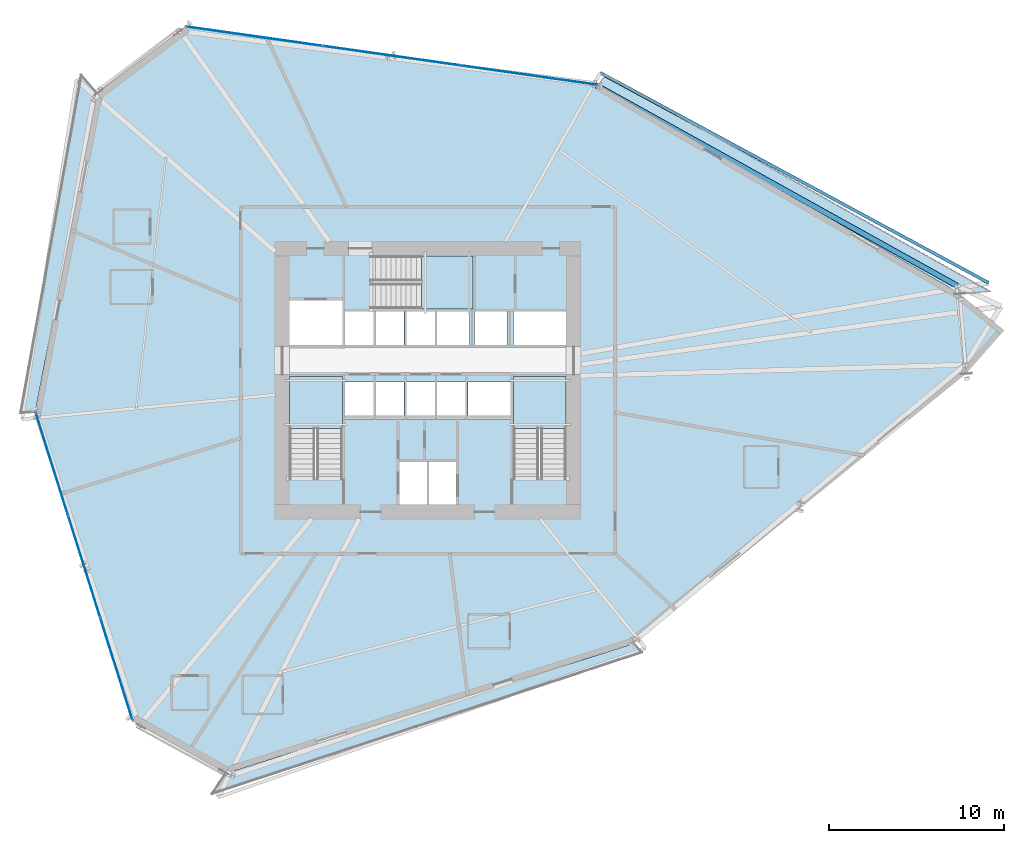
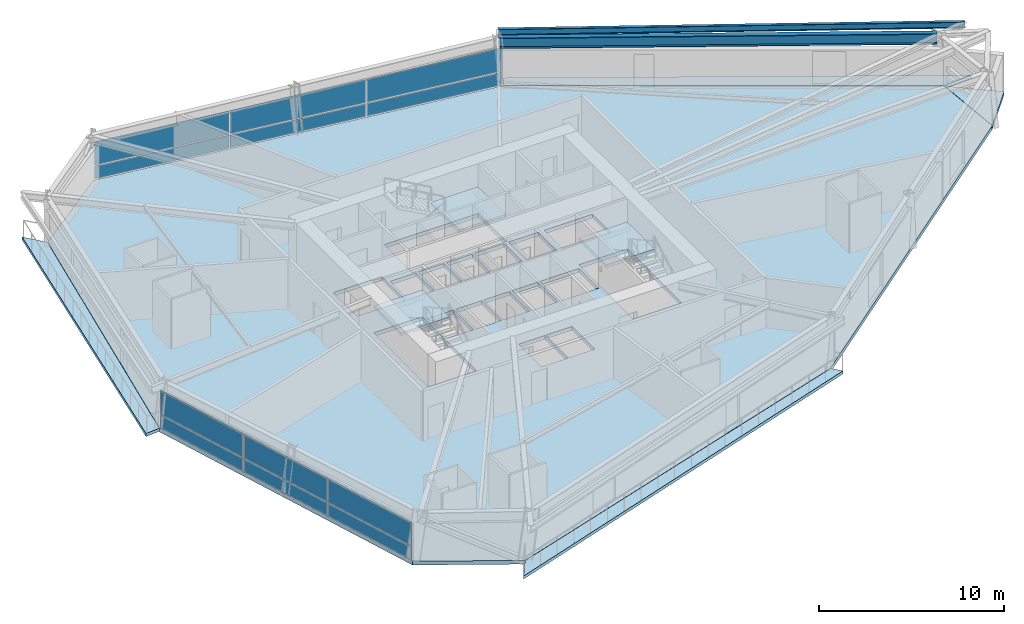
# One storey, part 11 of 21: 12 plates, 8 slabs, 2 beams, 5 elements without a shape of their own.
"""IFC4 building model written with IfcOpenShell, lengths in metres."""

from ifc_helpers import new_model, si_unit, direction, frame, origin, origin_2d, place, context, subcontext, project, spatial, polyline, rectangle, i_section, outline, extrude, source, transform, mapped, material, layer, layer_set, material_profile, profile_set, type_object, element, aggregate, save


model = new_model("IFC4")

# Units and contexts
model_context = context("Model", 3, precision=1e-05, world=origin(), true_north=direction((0.0, 1.0)))
body_context = subcontext(model_context, "Body", "Model", "MODEL_VIEW")
ifc_project = project(units=[si_unit("LENGTHUNIT", "METRE"), si_unit("AREAUNIT", "SQUARE_METRE"), si_unit("VOLUMEUNIT", "CUBIC_METRE"), si_unit("PLANEANGLEUNIT", "RADIAN"), si_unit("MASSUNIT", "GRAM", prefix="KILO")], contexts=[model_context])

# Site, building, storey
site_placement = place(None, origin())
site = spatial("IfcSite", under=ifc_project, at=site_placement, CompositionType="ELEMENT")
building_placement = place(site_placement, origin())
building = spatial("IfcBuilding", under=site, at=building_placement, Name="Olszyna Solenne Hotel", CompositionType="ELEMENT")
storey_placement = place(building_placement, frame((0.0, 0.0, 54.14990234375)))
storey = spatial("IfcBuildingStorey", under=building, at=storey_placement, Name="L13", CompositionType="ELEMENT", Elevation=54.14990234375)

# Beams
ifc_material_1 = material(Name="Steel S355J2", Category="steel")
ifc_material_profile_1 = material_profile(ifc_material_1, i_section(OverallWidth=0.300048828125, OverallDepth=0.699951171875, WebThickness=0.01708984375, FlangeThickness=0.031982421875, at=origin_2d()), Name="HEB 700", Category="load-bearing")
ifc_profile_set_1 = profile_set([ifc_material_profile_1], Name="Steel S355J2")
beam_type_1 = type_object("IfcBeamType", Name="BM-S1", PredefinedType="BEAM", material=ifc_profile_set_1)
shared_shape_1 = source(origin(), body_context, "Body", "SweptSolid", [
    extrude(i_section(OverallWidth=0.300048828125, OverallDepth=0.699951171875, WebThickness=0.01708984375, FlangeThickness=0.031982421875, at=origin_2d()), origin(), (0.0, 0.0, 1.0), 23.681396484375),
])
beam_1_placement = place(storey_placement, frame((68.203857421875, 32.008056640625, 2.9501953125), z_axis=(-0.874306040024, 0.485375059492, 0.0), x_axis=(-0.485375059492, -0.874306040024, 0.0)))
element("IfcBeam", 1, at=beam_1_placement, inside=storey, type_object=beam_type_1, Name="Perimeter spandrel beam BM-S1 B-L13-0407", PredefinedType="BEAM", context=body_context, shape_type="MappedRepresentation", body=[
    mapped(shared_shape_1, transform((0.0, 0.0, 0.0), x_axis=(1.0, 0.0, 0.0), y_axis=(0.0, 1.0, 0.0), z_axis=(0.0, 0.0, 1.0), scale=1.0)),
])
ifc_material_profile_2 = material_profile(ifc_material_1, i_section(OverallWidth=0.179931640625, OverallDepth=0.39990234375, WebThickness=0.008544921875, FlangeThickness=0.013427734375, at=origin_2d()), Name="IPE 400", Category="load-bearing")
ifc_profile_set_2 = profile_set([ifc_material_profile_2], Name="Steel S355J2")
beam_type_2 = type_object("IfcBeamType", Name="BM-F5", PredefinedType="BEAM", material=ifc_profile_set_2)
shared_shape_2 = source(origin(), body_context, "Body", "SweptSolid", [
    extrude(i_section(OverallWidth=0.179931640625, OverallDepth=0.39990234375, WebThickness=0.008544921875, FlangeThickness=0.013427734375, at=origin_2d()), origin(), (0.0, 0.0, 1.0), 25.219970703125),
])
beam_2_placement = place(storey_placement, frame((70.028076171875, 32.15966796875, 3.10009765625), z_axis=(-0.879505055646, 0.475889542954, 0.0), x_axis=(-0.475889542954, -0.879505055646, 0.0)))
element("IfcBeam", 2, at=beam_2_placement, inside=storey, type_object=beam_type_2, Name="Loggia outer edge beam BM-F5 B-L13-0433", PredefinedType="BEAM", context=body_context, shape_type="MappedRepresentation", body=[
    mapped(shared_shape_2, transform((0.0, 0.0, 0.0), x_axis=(1.0, 0.0, 0.0), y_axis=(0.0, 1.0, 0.0), z_axis=(0.0, 0.0, 1.0), scale=1.0)),
])

# Stair, slab
ifc_material_2 = material(Name="Concrete C40/50", Category="concrete")
stair_type = type_object("IfcStairType", Name="STR-C1", PredefinedType="TWO_QUARTER_WINDING_STAIR", material=ifc_material_2)
stair_1_placement = place(storey_placement, origin())
stair_1 = element("IfcStair", 3, at=stair_1_placement, inside=storey, type_object=stair_type, Name="L13 ST1", PredefinedType="TWO_QUARTER_WINDING_STAIR")
ifc_layer_1 = layer(ifc_material_2, 0.18994140625, Name="Concrete C40/50")
ifc_layer_set_1 = layer_set([ifc_layer_1], Name="Concrete C40/50")
slab_type_1 = type_object("IfcSlabType", Name="SL-LN190", PredefinedType="LANDING", material=ifc_layer_set_1)
slab_1_placement = place(storey_placement, frame((0.0, 0.0, 1.5751953125)))
slab_1 = element("IfcSlab", 4, at=slab_1_placement, type_object=slab_type_1, Name="ST1 landing 1", PredefinedType="LANDING", context=body_context, shape_type="SweptSolid", body=[
    extrude(outline(polyline([(33.1201171875, 23.85009765625), (33.1201171875, 26.800048828125), (30.10009765625, 26.800048828125), (30.10009765625, 23.85009765625), (33.1201171875, 23.85009765625)])), origin(), (0.0, 0.0, 1.0), 0.199951171875),
])
aggregate(stair_1, [slab_1])

stair_2_placement = place(storey_placement, origin())
stair_2 = element("IfcStair", 5, at=stair_2_placement, inside=storey, type_object=stair_type, Name="L13 ST2", PredefinedType="TWO_QUARTER_WINDING_STAIR")
slab_2_placement = place(storey_placement, frame((0.0, 0.0, 1.5751953125)))
slab_2 = element("IfcSlab", 6, at=slab_2_placement, type_object=slab_type_1, Name="ST2 landing 1", PredefinedType="LANDING", context=body_context, shape_type="SweptSolid", body=[
    extrude(outline(polyline([(45.89990234375, 23.85009765625), (45.89990234375, 26.800048828125), (42.8798828125, 26.800048828125), (42.8798828125, 23.85009765625), (45.89990234375, 23.85009765625)])), origin(), (0.0, 0.0, 1.0), 0.199951171875),
])
aggregate(stair_2, [slab_2])

stair_3_placement = place(storey_placement, origin())
stair_3 = element("IfcStair", 7, at=stair_3_placement, inside=storey, type_object=stair_type, Name="L13 ST3", PredefinedType="TWO_QUARTER_WINDING_STAIR")
slab_3_placement = place(storey_placement, frame((0.0, 0.0, 1.5751953125)))
slab_3 = element("IfcSlab", 8, at=slab_3_placement, type_object=slab_type_1, Name="ST3 landing 1", PredefinedType="LANDING", context=body_context, shape_type="SweptSolid", body=[
    extrude(outline(polyline([(37.6298828125, 30.679931640625), (40.580078125, 30.679931640625), (40.580078125, 33.699951171875), (37.6298828125, 33.699951171875), (37.6298828125, 30.679931640625)])), origin(), (0.0, 0.0, 1.0), 0.199951171875),
])
aggregate(stair_3, [slab_3])

# Slabs
ifc_material_3 = material(Name="Precast concrete C45/55", Category="concrete")
ifc_layer_2 = layer(ifc_material_3, 0.199951171875, Name="Precast concrete C45/55")
ifc_layer_set_2 = layer_set([ifc_layer_2], Name="Precast concrete C45/55")
slab_type_2 = type_object("IfcSlabType", Name="SL-LOG200", PredefinedType="FLOOR", material=ifc_layer_set_2)
slab_4_placement = place(storey_placement, frame((0.0, 0.0, -0.199951171875)))
element("IfcSlab", 9, at=slab_4_placement, inside=storey, type_object=slab_type_2, Name="Exterior loggia balcony slab SL-L13-LG1", PredefinedType="FLOOR", context=body_context, shape_type="SweptSolid", body=[
    extrude(outline(polyline([(47.756103515625, 43.471923828125), (68.38720703125, 31.539306640625), (68.38818359375, 31.53857421875), (68.38916015625, 31.537841796875), (68.40087890625, 31.528076171875), (70.154052734375, 31.678955078125), (48.158203125, 44.0830078125), (47.756103515625, 43.471923828125)])), origin(), (0.0, 0.0, 1.0), 0.199951171875),
])
slab_5_placement = place(storey_placement, frame((0.0, 0.0, -0.199951171875)))
element("IfcSlab", 10, at=slab_5_placement, inside=storey, type_object=slab_type_2, Name="Exterior loggia balcony slab SL-L13-LG2", PredefinedType="FLOOR", context=body_context, shape_type="SweptSolid", body=[
    extrude(outline(polyline([(15.577392578125, 24.80224609375), (15.577392578125, 24.803466796875), (15.577392578125, 24.804931640625), (15.57763671875, 24.806396484375), (19.09912109375, 42.9912109375), (19.099365234375, 42.99267578125), (19.099853515625, 42.993896484375), (19.1005859375, 42.99560546875), (19.101318359375, 42.996826171875), (19.102294921875, 42.998046875), (19.103515625, 42.999267578125), (19.10400390625, 42.99951171875), (18.159912109375, 44.082763671875), (14.705078125, 24.727294921875), (15.577392578125, 24.80224609375)])), origin(), (0.0, 0.0, 1.0), 0.199951171875),
])
slab_6_placement = place(storey_placement, frame((0.0, 0.0, -0.199951171875)))
element("IfcSlab", 11, at=slab_6_placement, inside=storey, type_object=slab_type_2, Name="Exterior loggia balcony slab SL-L13-LG3", PredefinedType="FLOOR", context=body_context, shape_type="SweptSolid", body=[
    extrude(outline(polyline([(49.77294921875, 11.564208984375), (49.7724609375, 11.56396484375), (49.771240234375, 11.56298828125), (49.77001953125, 11.562255859375), (49.768798828125, 11.561767578125), (49.767578125, 11.561279296875), (26.463134765625, 4.15380859375), (26.4619140625, 4.153564453125), (26.460205078125, 4.1533203125), (26.458740234375, 4.1533203125), (26.457275390625, 4.1533203125), (26.455810546875, 4.153564453125), (26.4541015625, 4.15380859375), (26.452880859375, 4.154296875), (26.451416015625, 4.155029296875), (26.450439453125, 4.155517578125), (25.637939453125, 2.9208984375), (50.239990234375, 11.0283203125), (49.77294921875, 11.564208984375)])), origin(), (0.0, 0.0, 1.0), 0.199951171875),
])
ifc_material_4 = material(Name="Concrete C50/60", Category="concrete")
ifc_layer_3 = layer(ifc_material_4, 0.25, Name="Concrete C50/60")
ifc_layer_set_3 = layer_set([ifc_layer_3], Name="Concrete C50/60")
slab_type_3 = type_object("IfcSlabType", Name="SL-TW250", PredefinedType="FLOOR", material=ifc_layer_set_3)
slab_7_placement = place(storey_placement, frame((0.0, 0.0, -0.25)))
element("IfcSlab", 12, at=slab_7_placement, inside=storey, type_object=slab_type_3, Name="Floor slab SL-TW250 SL-L13-01", PredefinedType="FLOOR", context=body_context, shape_type="SweptSolid", body=[
    extrude(outline(polyline([(68.7490234375, 26.986328125), (68.379638671875, 31.526123046875), (47.747802734375, 43.45947265625), (24.1484375, 46.79638671875), (19.11376953125, 42.98828125), (15.59228515625, 24.8037109375), (21.150390625, 7.134765625), (26.458740234375, 4.168212890625), (49.762939453125, 11.575439453125), (68.7490234375, 26.986328125)]), holes=[polyline([(30.10009765625, 20.949951171875), (33.1201171875, 20.949951171875), (33.1201171875, 26.800048828125), (30.10009765625, 26.800048828125), (30.10009765625, 20.949951171875)]), polyline([(42.8798828125, 20.949951171875), (45.89990234375, 20.949951171875), (45.89990234375, 26.800048828125), (42.8798828125, 26.800048828125), (42.8798828125, 20.949951171875)]), polyline([(34.72998046875, 30.679931640625), (40.580078125, 30.679931640625), (40.580078125, 33.699951171875), (34.72998046875, 33.699951171875), (34.72998046875, 30.679931640625)]), polyline([(36.340087890625, 19.5), (37.9599609375, 19.5), (37.9599609375, 21.9599609375), (36.340087890625, 21.9599609375), (36.340087890625, 19.5)]), polyline([(38.0400390625, 19.5), (39.659912109375, 19.5), (39.659912109375, 21.9599609375), (38.0400390625, 21.9599609375), (38.0400390625, 19.5)]), polyline([(30.10009765625, 28.60009765625), (33.1201171875, 28.60009765625), (33.1201171875, 31.159912109375), (30.10009765625, 31.159912109375), (30.10009765625, 28.60009765625)]), polyline([(33.280029296875, 24.360107421875), (34.89990234375, 24.360107421875), (34.89990234375, 26.5), (33.280029296875, 26.5), (33.280029296875, 24.360107421875)]), polyline([(35.030029296875, 24.360107421875), (36.64990234375, 24.360107421875), (36.64990234375, 26.5), (35.030029296875, 26.5), (35.030029296875, 24.360107421875)]), polyline([(36.780029296875, 24.360107421875), (38.39990234375, 24.360107421875), (38.39990234375, 26.5), (36.780029296875, 26.5), (36.780029296875, 24.360107421875)]), polyline([(38.530029296875, 24.360107421875), (40.14990234375, 24.360107421875), (40.14990234375, 26.5), (38.530029296875, 26.5), (38.530029296875, 24.360107421875)]), polyline([(40.280029296875, 24.360107421875), (42.719970703125, 24.360107421875), (42.719970703125, 26.5), (40.280029296875, 26.5), (40.280029296875, 24.360107421875)]), polyline([(33.280029296875, 28.60009765625), (34.89990234375, 28.60009765625), (34.89990234375, 30.550048828125), (33.280029296875, 30.550048828125), (33.280029296875, 28.60009765625)]), polyline([(35.030029296875, 28.60009765625), (36.64990234375, 28.60009765625), (36.64990234375, 30.550048828125), (35.030029296875, 30.550048828125), (35.030029296875, 28.60009765625)]), polyline([(36.780029296875, 28.60009765625), (38.39990234375, 28.60009765625), (38.39990234375, 30.550048828125), (36.780029296875, 30.550048828125), (36.780029296875, 28.60009765625)]), polyline([(38.530029296875, 28.60009765625), (40.389892578125, 28.60009765625), (40.389892578125, 30.550048828125), (38.530029296875, 30.550048828125), (38.530029296875, 28.60009765625)]), polyline([(40.659912109375, 28.60009765625), (42.52001953125, 28.60009765625), (42.52001953125, 30.550048828125), (40.659912109375, 30.550048828125), (40.659912109375, 28.60009765625)]), polyline([(42.8798828125, 28.60009765625), (45.89990234375, 28.60009765625), (45.89990234375, 30.550048828125), (42.8798828125, 30.550048828125), (42.8798828125, 28.60009765625)])]), origin(), (0.0, 0.0, 1.0), 0.25),
])
slab_8_placement = place(storey_placement, frame((0.0, 0.0, -0.25)))
element("IfcSlab", 13, at=slab_8_placement, inside=storey, type_object=slab_type_3, Name="Faceted glass-prism floor slab SL-L13-PR", PredefinedType="FLOOR", context=body_context, shape_type="SweptSolid", body=[
    extrude(outline(polyline([(68.390380859375, 31.517333984375), (68.75830078125, 26.996826171875), (70.906494140625, 29.44677734375), (68.390380859375, 31.517333984375)])), origin(), (0.0, 0.0, 1.0), 0.25),
])

# Curtain wall, plates
ifc_material_5 = material(Name="Anodised bronze aluminium", Category="aluminium")
curtain_wall_type = type_object("IfcCurtainWallType", Name="CW-SYS-2", PredefinedType="NOTDEFINED", material=ifc_material_5)
curtain_wall_1_placement = place(storey_placement, origin())
curtain_wall_1 = element("IfcCurtainWall", 14, at=curtain_wall_1_placement, inside=storey, type_object=curtain_wall_type, Name="Unitised curtain wall CW-SYS-2 CW-L13-01", PredefinedType="NOTDEFINED")
ifc_material_6 = material(Name="Terracotta cladding", Category="masonry")
plate_type_1 = type_object("IfcPlateType", Name="PN-SP1", PredefinedType="CURTAIN_PANEL", material=ifc_material_6)
shared_shape_3 = source(origin(), body_context, "Body", "SweptSolid", [
    extrude(rectangle(XDim=6.0615234375, YDim=0.035888671875, at=origin_2d()), origin(), (0.0, 0.0, 1.0), 0.83740234375),
])
plate_1_placement = place(storey_placement, frame((16.5244140625, 21.8408203125, 0.0751953125), z_axis=(0.0, 0.0, 1.0), x_axis=(0.300079562602, -0.95391417649, 0.0)))
plate_1 = element("IfcPlate", 15, at=plate_1_placement, type_object=plate_type_1, Name="Curtain-wall panel PN-SP1 CP-L13-01-01", PredefinedType="CURTAIN_PANEL", context=body_context, shape_type="MappedRepresentation", body=[
    mapped(shared_shape_3, transform((0.0, 0.0, 0.0), x_axis=(1.0, 0.0, 0.0), y_axis=(0.0, 1.0, 0.0), z_axis=(0.0, 0.0, 1.0), scale=1.0)),
])
plate_2_placement = place(storey_placement, frame((20.218505859375, 10.097412109375, 0.0751953125), z_axis=(0.0, 0.0, 1.0), x_axis=(0.300079562602, -0.95391417649, 0.0)))
plate_2 = element("IfcPlate", 16, at=plate_2_placement, type_object=plate_type_1, Name="Curtain-wall panel PN-SP1 CP-L13-01-05", PredefinedType="CURTAIN_PANEL", context=body_context, shape_type="MappedRepresentation", body=[
    mapped(shared_shape_3, transform((0.0, 0.0, 0.0), x_axis=(1.0, 0.0, 0.0), y_axis=(0.0, 1.0, 0.0), z_axis=(0.0, 0.0, 1.0), scale=1.0)),
])
ifc_material_7 = material(Name="Low-E triple glazing", Category="glass")
plate_type_2 = type_object("IfcPlateType", Name="PN-GL1", PredefinedType="CURTAIN_PANEL", material=ifc_material_7)
shared_shape_4 = source(origin(), body_context, "Body", "SweptSolid", [
    extrude(rectangle(XDim=6.0615234375, YDim=0.035888671875, at=origin_2d()), origin(), (0.0, 0.0, 1.0), 1.529541015625),
])
plate_3_placement = place(storey_placement, frame((16.5244140625, 21.8408203125, 0.98779296875), z_axis=(0.0, 0.0, 1.0), x_axis=(0.300079562602, -0.95391417649, 0.0)))
plate_3 = element("IfcPlate", 17, at=plate_3_placement, type_object=plate_type_2, Name="Curtain-wall panel PN-GL1 CP-L13-01-02", PredefinedType="CURTAIN_PANEL", context=body_context, shape_type="MappedRepresentation", body=[
    mapped(shared_shape_4, transform((0.0, 0.0, 0.0), x_axis=(1.0, 0.0, 0.0), y_axis=(0.0, 1.0, 0.0), z_axis=(0.0, 0.0, 1.0), scale=1.0)),
])
plate_4_placement = place(storey_placement, frame((20.218505859375, 10.097412109375, 0.98779296875), z_axis=(0.0, 0.0, 1.0), x_axis=(0.300079562602, -0.95391417649, 0.0)))
plate_4 = element("IfcPlate", 18, at=plate_4_placement, type_object=plate_type_2, Name="Curtain-wall panel PN-GL1 CP-L13-01-06", PredefinedType="CURTAIN_PANEL", context=body_context, shape_type="MappedRepresentation", body=[
    mapped(shared_shape_4, transform((0.0, 0.0, 0.0), x_axis=(1.0, 0.0, 0.0), y_axis=(0.0, 1.0, 0.0), z_axis=(0.0, 0.0, 1.0), scale=1.0)),
])
shared_shape_5 = source(origin(), body_context, "Body", "SweptSolid", [
    extrude(rectangle(XDim=6.09912109375, YDim=0.035888671875, at=origin_2d()), origin(), (0.0, 0.0, 1.0), 0.83740234375),
])
plate_5_placement = place(storey_placement, frame((18.371337890625, 15.96923828125, 0.0751953125), z_axis=(0.0, 0.0, 1.0), x_axis=(0.300079562602, -0.95391417649, 0.0)))
plate_5 = element("IfcPlate", 19, at=plate_5_placement, type_object=plate_type_1, Name="Curtain-wall panel PN-SP1 CP-L13-01-03", PredefinedType="CURTAIN_PANEL", context=body_context, shape_type="MappedRepresentation", body=[
    mapped(shared_shape_5, transform((0.0, 0.0, 0.0), x_axis=(1.0, 0.0, 0.0), y_axis=(0.0, 1.0, 0.0), z_axis=(0.0, 0.0, 1.0), scale=1.0)),
])
shared_shape_6 = source(origin(), body_context, "Body", "SweptSolid", [
    extrude(rectangle(XDim=6.09912109375, YDim=0.035888671875, at=origin_2d()), origin(), (0.0, 0.0, 1.0), 1.529541015625),
])
plate_6_placement = place(storey_placement, frame((18.371337890625, 15.96923828125, 0.98779296875), z_axis=(0.0, 0.0, 1.0), x_axis=(0.300079562602, -0.95391417649, 0.0)))
plate_6 = element("IfcPlate", 20, at=plate_6_placement, type_object=plate_type_2, Name="Curtain-wall panel PN-GL1 CP-L13-01-04", PredefinedType="CURTAIN_PANEL", context=body_context, shape_type="MappedRepresentation", body=[
    mapped(shared_shape_6, transform((0.0, 0.0, 0.0), x_axis=(1.0, 0.0, 0.0), y_axis=(0.0, 1.0, 0.0), z_axis=(0.0, 0.0, 1.0), scale=1.0)),
])
aggregate(curtain_wall_1, [plate_1, plate_3, plate_5, plate_6, plate_2, plate_4])

curtain_wall_2_placement = place(storey_placement, origin())
curtain_wall_2 = element("IfcCurtainWall", 21, at=curtain_wall_2_placement, inside=storey, type_object=curtain_wall_type, Name="Unitised curtain wall CW-SYS-2 CW-L13-02", PredefinedType="NOTDEFINED")
shared_shape_7 = source(origin(), body_context, "Body", "SweptSolid", [
    extrude(rectangle(XDim=7.832275390625, YDim=0.035888671875, at=origin_2d()), origin(), (0.0, 0.0, 1.0), 0.83740234375),
])
plate_7_placement = place(storey_placement, frame((28.100341796875, 46.237548828125, 0.0751953125), z_axis=(0.0, 0.0, 1.0), x_axis=(0.990150795432, -0.140005008144, 0.0)))
plate_7 = element("IfcPlate", 22, at=plate_7_placement, type_object=plate_type_1, Name="Curtain-wall panel PN-SP1 CP-L13-02-01", PredefinedType="CURTAIN_PANEL", context=body_context, shape_type="MappedRepresentation", body=[
    mapped(shared_shape_7, transform((0.0, 0.0, 0.0), x_axis=(1.0, 0.0, 0.0), y_axis=(0.0, 1.0, 0.0), z_axis=(0.0, 0.0, 1.0), scale=1.0)),
])
plate_8_placement = place(storey_placement, frame((43.796142578125, 44.01806640625, 0.0751953125), z_axis=(0.0, 0.0, 1.0), x_axis=(0.990150795432, -0.140005008144, 0.0)))
plate_8 = element("IfcPlate", 23, at=plate_8_placement, type_object=plate_type_1, Name="Curtain-wall panel PN-SP1 CP-L13-02-05", PredefinedType="CURTAIN_PANEL", context=body_context, shape_type="MappedRepresentation", body=[
    mapped(shared_shape_7, transform((0.0, 0.0, 0.0), x_axis=(1.0, 0.0, 0.0), y_axis=(0.0, 1.0, 0.0), z_axis=(0.0, 0.0, 1.0), scale=1.0)),
])
shared_shape_8 = source(origin(), body_context, "Body", "SweptSolid", [
    extrude(rectangle(XDim=7.832275390625, YDim=0.035888671875, at=origin_2d()), origin(), (0.0, 0.0, 1.0), 1.529541015625),
])
plate_9_placement = place(storey_placement, frame((28.100341796875, 46.237548828125, 0.98779296875), z_axis=(0.0, 0.0, 1.0), x_axis=(0.990150795432, -0.140005008144, 0.0)))
plate_9 = element("IfcPlate", 24, at=plate_9_placement, type_object=plate_type_2, Name="Curtain-wall panel PN-GL1 CP-L13-02-02", PredefinedType="CURTAIN_PANEL", context=body_context, shape_type="MappedRepresentation", body=[
    mapped(shared_shape_8, transform((0.0, 0.0, 0.0), x_axis=(1.0, 0.0, 0.0), y_axis=(0.0, 1.0, 0.0), z_axis=(0.0, 0.0, 1.0), scale=1.0)),
])
plate_10_placement = place(storey_placement, frame((43.796142578125, 44.01806640625, 0.98779296875), z_axis=(0.0, 0.0, 1.0), x_axis=(0.990150795432, -0.140005008144, 0.0)))
plate_10 = element("IfcPlate", 25, at=plate_10_placement, type_object=plate_type_2, Name="Curtain-wall panel PN-GL1 CP-L13-02-06", PredefinedType="CURTAIN_PANEL", context=body_context, shape_type="MappedRepresentation", body=[
    mapped(shared_shape_8, transform((0.0, 0.0, 0.0), x_axis=(1.0, 0.0, 0.0), y_axis=(0.0, 1.0, 0.0), z_axis=(0.0, 0.0, 1.0), scale=1.0)),
])
shared_shape_9 = source(origin(), body_context, "Body", "SweptSolid", [
    extrude(rectangle(XDim=7.86962890625, YDim=0.035888671875, at=origin_2d()), origin(), (0.0, 0.0, 1.0), 0.83740234375),
])
plate_11_placement = place(storey_placement, frame((35.9482421875, 45.1279296875, 0.0751953125), z_axis=(0.0, 0.0, 1.0), x_axis=(0.990150795432, -0.140005008144, 0.0)))
plate_11 = element("IfcPlate", 26, at=plate_11_placement, type_object=plate_type_1, Name="Curtain-wall panel PN-SP1 CP-L13-02-03", PredefinedType="CURTAIN_PANEL", context=body_context, shape_type="MappedRepresentation", body=[
    mapped(shared_shape_9, transform((0.0, 0.0, 0.0), x_axis=(1.0, 0.0, 0.0), y_axis=(0.0, 1.0, 0.0), z_axis=(0.0, 0.0, 1.0), scale=1.0)),
])
shared_shape_10 = source(origin(), body_context, "Body", "SweptSolid", [
    extrude(rectangle(XDim=7.86962890625, YDim=0.035888671875, at=origin_2d()), origin(), (0.0, 0.0, 1.0), 1.529541015625),
])
plate_12_placement = place(storey_placement, frame((35.9482421875, 45.1279296875, 0.98779296875), z_axis=(0.0, 0.0, 1.0), x_axis=(0.990150795432, -0.140005008144, 0.0)))
plate_12 = element("IfcPlate", 27, at=plate_12_placement, type_object=plate_type_2, Name="Curtain-wall panel PN-GL1 CP-L13-02-04", PredefinedType="CURTAIN_PANEL", context=body_context, shape_type="MappedRepresentation", body=[
    mapped(shared_shape_10, transform((0.0, 0.0, 0.0), x_axis=(1.0, 0.0, 0.0), y_axis=(0.0, 1.0, 0.0), z_axis=(0.0, 0.0, 1.0), scale=1.0)),
])
aggregate(curtain_wall_2, [plate_7, plate_9, plate_11, plate_12, plate_8, plate_10])

save(model, "model.ifc")
